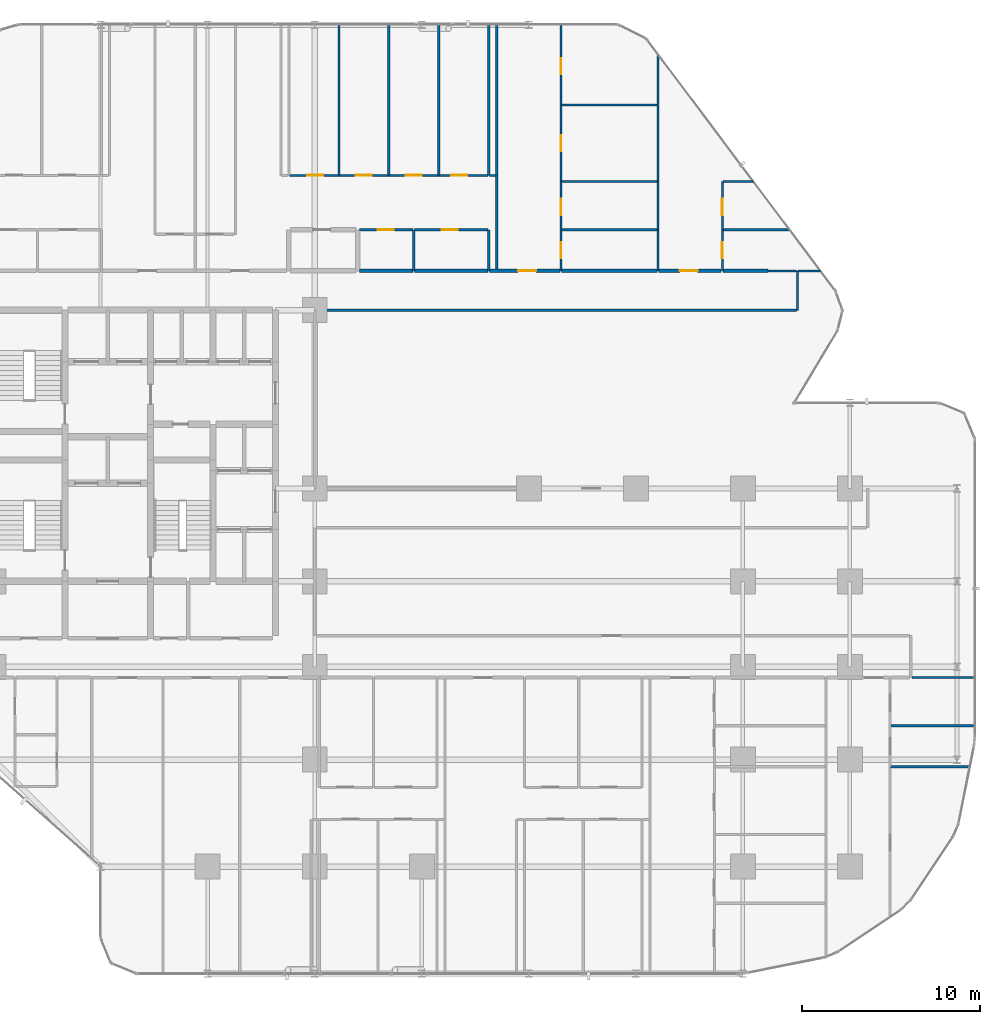
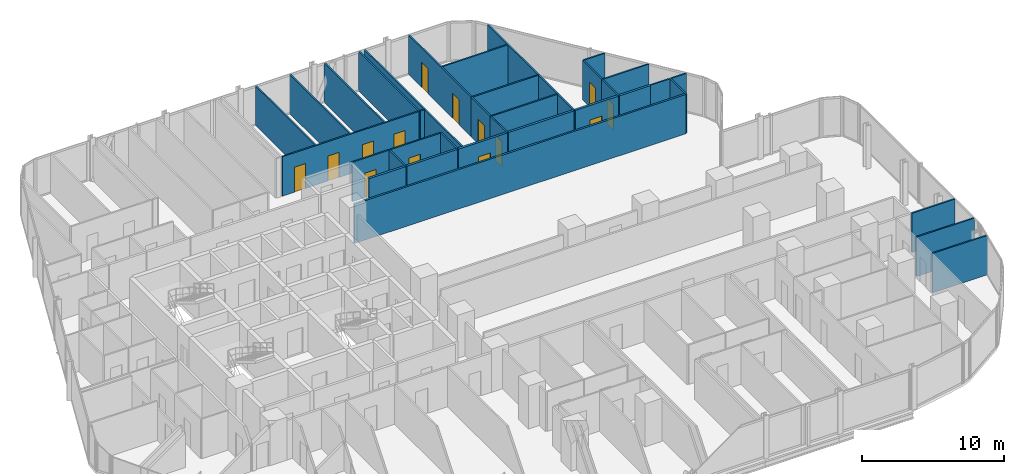
# One storey, part 31 of 34: 37 walls, 14 doors, 14 openings.
"""IFC4 building model written with IfcOpenShell, lengths in metres."""

from ifc_helpers import new_model, si_unit, direction, frame, frame_2d, origin, place, context, subcontext, project, spatial, rectangle, extrude, material, layer, layer_set, type_object, element, fill, save


model = new_model("IFC4")

# Units and contexts
model_context = context("Model", 3, precision=1e-05, world=origin(), true_north=direction((0.0, 1.0)))
body_context = subcontext(model_context, "Body", "Model", "MODEL_VIEW")
ifc_project = project(units=[si_unit("LENGTHUNIT", "METRE"), si_unit("AREAUNIT", "SQUARE_METRE"), si_unit("VOLUMEUNIT", "CUBIC_METRE"), si_unit("PLANEANGLEUNIT", "RADIAN"), si_unit("MASSUNIT", "GRAM", prefix="KILO")], contexts=[model_context])

# Site, building, storey
site_placement = place(None, origin())
site = spatial("IfcSite", under=ifc_project, at=site_placement, CompositionType="ELEMENT")
building_placement = place(site_placement, origin())
building = spatial("IfcBuilding", under=site, at=building_placement, Name="Keshet Zoharim Tower", CompositionType="ELEMENT")
storey_placement = place(building_placement, frame((0.0, 0.0, 46.199951171875)))
storey = spatial("IfcBuildingStorey", under=building, at=storey_placement, Name="L10", CompositionType="ELEMENT", Elevation=46.199951171875)

# Walls
ifc_material_1 = material(Name="Gypsum Plasterboard", Category="gypsum")
ifc_layer_1 = layer(ifc_material_1, 0.14990234375)
ifc_layer_set_1 = layer_set([ifc_layer_1], Name="Gypsum Plasterboard")
wall_type_1 = type_object("IfcWallType", Name="WL-CLIN-150", PredefinedType="STANDARD", material=ifc_layer_set_1)
wall_1_placement = place(storey_placement, frame((33.070068359375, 37.89990234375, 0.0), z_axis=(0.0, 0.0, 1.0), x_axis=(1.0, 0.0, 0.0)))
element("IfcWall", 1, at=wall_1_placement, inside=storey, type_object=wall_type_1, Name="L10 Interior Wall 193", PredefinedType="STANDARD", context=body_context, shape_type="SweptSolid", body=[
    extrude(rectangle(XDim=26.934814453125, YDim=0.14990234375, at=frame_2d((13.46728515625, 0.0))), origin(), (0.0, 0.0, 1.0), 3.385009765625),
])
ifc_layer_2 = layer(ifc_material_1, 0.179931640625)
ifc_layer_set_2 = layer_set([ifc_layer_2], Name="Gypsum Plasterboard")
wall_type_2 = type_object("IfcWallType", Name="WL-CORR-180", PredefinedType="STANDARD", material=ifc_layer_set_2)
wall_2_placement = place(storey_placement, frame((35.52197265625, 40.10009765625, 0.0), z_axis=(0.0, 0.0, 1.0), x_axis=(1.0, 0.0, 0.0)))
element("IfcWall", 2, at=wall_2_placement, inside=storey, type_object=wall_type_2, Name="L10 Interior Wall 200", PredefinedType="STANDARD", context=body_context, shape_type="SweptSolid", body=[
    extrude(rectangle(XDim=2.987060546875, YDim=0.179931640625, at=frame_2d((1.49365234375, 0.0))), origin(), (0.0, 0.0, 1.0), 3.385009765625),
])
wall_3_placement = place(storey_placement, frame((38.59912109375, 40.10009765625, 0.0), z_axis=(0.0, 0.0, 1.0), x_axis=(1.0, 0.0, 0.0)))
element("IfcWall", 3, at=wall_3_placement, inside=storey, type_object=wall_type_2, Name="L10 Interior Wall 201", PredefinedType="STANDARD", context=body_context, shape_type="SweptSolid", body=[
    extrude(rectangle(XDim=4.10595703125, YDim=0.179931640625, at=frame_2d((2.052978515625, 0.0))), origin(), (0.0, 0.0, 1.0), 3.385009765625),
])

# Wall, opening, door
wall_4_placement = place(storey_placement, frame((42.794921875, 40.10009765625, 0.0), z_axis=(0.0, 0.0, 1.0), x_axis=(1.0, 0.0, 0.0)))
wall_4 = element("IfcWall", 4, at=wall_4_placement, inside=storey, type_object=wall_type_2, Name="L10 Interior Wall 202", PredefinedType="STANDARD", context=body_context, shape_type="SweptSolid", body=[
    extrude(rectangle(XDim=3.9599609375, YDim=0.179931640625, at=frame_2d((1.97998046875, 0.0))), origin(), (0.0, 0.0, 1.0), 3.385009765625),
])
opening_1_placement = place(wall_4_placement, frame((1.60888671875, 0.0, 0.0)))
opening_1 = element("IfcOpeningElement", 5, at=opening_1_placement, cuts=wall_4, Name="Opening D-F310", PredefinedType="OPENING", context=body_context, shape_type="SweptSolid", body=[
    extrude(rectangle(XDim=1.0, YDim=2.14990234375, at=frame_2d((0.5, 1.074951171875))), frame((0.0, 0.10009765625, 0.0), z_axis=(0.0, -1.0, 0.0), x_axis=(1.0, 0.0, 0.0)), (0.0, 0.0, 1.0), 0.199951171875),
])
ifc_material_2 = material(Name="Hardwood Timber", Category="wood")
door_type_1 = type_object("IfcDoorType", Name="DR-FD30-100", OperationType="NOTDEFINED", PredefinedType="DOOR", material=ifc_material_2)
door_1_placement = place(opening_1_placement, origin())
door_1 = element("IfcDoor", 6, at=door_1_placement, inside=storey, type_object=door_type_1, Name="Apartment 1008 Entrance Door", OperationType="SINGLE_SWING_LEFT", OverallHeight=2.14990234375, OverallWidth=1.0, PredefinedType="DOOR", context=body_context, shape_type="SweptSolid", body=[
    extrude(rectangle(XDim=1.0, YDim=2.14990234375, at=frame_2d((0.5, 1.074951171875))), frame((0.0, 0.02490234375, 0.0), z_axis=(0.0, -1.0, 0.0), x_axis=(1.0, 0.0, 0.0)), (0.0, 0.0, 1.0), 0.050048828125),
])
fill(opening_1, door_1)

# Wall
wall_5_placement = place(storey_placement, frame((46.844970703125, 40.10009765625, 0.0), z_axis=(0.0, 0.0, 1.0), x_axis=(1.0, 0.0, 0.0)))
element("IfcWall", 7, at=wall_5_placement, inside=storey, type_object=wall_type_2, Name="L10 Interior Wall 203", PredefinedType="STANDARD", context=body_context, shape_type="SweptSolid", body=[
    extrude(rectangle(XDim=5.340087890625, YDim=0.179931640625, at=frame_2d((2.669921875, 0.0))), origin(), (0.0, 0.0, 1.0), 3.385009765625),
])

# Wall, opening, door
wall_6_placement = place(storey_placement, frame((52.27490234375, 40.10009765625, 0.0), z_axis=(0.0, 0.0, 1.0), x_axis=(1.0, 0.0, 0.0)))
wall_6 = element("IfcWall", 8, at=wall_6_placement, inside=storey, type_object=wall_type_2, Name="L10 Interior Wall 204", PredefinedType="STANDARD", context=body_context, shape_type="SweptSolid", body=[
    extrude(rectangle(XDim=3.510009765625, YDim=0.179931640625, at=frame_2d((1.7548828125, 0.0))), origin(), (0.0, 0.0, 1.0), 3.385009765625),
])
opening_2_placement = place(wall_6_placement, frame((1.18505859375, 0.0, 0.0)))
opening_2 = element("IfcOpeningElement", 9, at=opening_2_placement, cuts=wall_6, Name="Opening D-F310", PredefinedType="OPENING", context=body_context, shape_type="SweptSolid", body=[
    extrude(rectangle(XDim=1.0, YDim=2.14990234375, at=frame_2d((0.5, 1.074951171875))), frame((0.0, 0.10009765625, 0.0), z_axis=(0.0, -1.0, 0.0), x_axis=(1.0, 0.0, 0.0)), (0.0, 0.0, 1.0), 0.199951171875),
])
door_2_placement = place(opening_2_placement, origin())
door_2 = element("IfcDoor", 10, at=door_2_placement, inside=storey, type_object=door_type_1, Name="Apartment 1009 Entrance Door", OperationType="SINGLE_SWING_RIGHT", OverallHeight=2.14990234375, OverallWidth=1.0, PredefinedType="DOOR", context=body_context, shape_type="SweptSolid", body=[
    extrude(rectangle(XDim=1.0, YDim=2.14990234375, at=frame_2d((0.5, 1.074951171875))), frame((0.0, 0.02490234375, 0.0), z_axis=(0.0, -1.0, 0.0), x_axis=(1.0, 0.0, 0.0)), (0.0, 0.0, 1.0), 0.050048828125),
])
fill(opening_2, door_2)

# Walls
wall_7_placement = place(storey_placement, frame((55.875, 40.10009765625, 0.0), z_axis=(0.0, 0.0, 1.0), x_axis=(1.0, 0.0, 0.0)))
element("IfcWall", 11, at=wall_7_placement, inside=storey, type_object=wall_type_2, Name="L10 Interior Wall 205", PredefinedType="STANDARD", context=body_context, shape_type="SweptSolid", body=[
    extrude(rectangle(XDim=2.52490234375, YDim=0.179931640625, at=frame_2d((1.262451171875, 0.0))), origin(), (0.0, 0.0, 1.0), 3.385009765625),
])
ifc_layer_3 = layer(ifc_material_1, 0.1201171875)
ifc_layer_set_3 = layer_set([ifc_layer_3], Name="Gypsum Plasterboard")
wall_type_3 = type_object("IfcWallType", Name="WL-PART-120", PredefinedType="PARTITIONING", material=ifc_layer_set_3)
for number, where, z_axis, x_axis, name in (
    (12, (34.35009765625, 45.449951171875, 0.0), (0.0, 0.0, 1.0), (0.0, 1.0, 0.0), "L10 Interior Wall 077"),
    (13, (37.14990234375, 45.449951171875, 0.0), (0.0, 0.0, 1.0), (0.0, 1.0, 0.0), "L10 Interior Wall 081"),
    (14, (39.949951171875, 45.449951171875, 0.0), (0.0, 0.0, 1.0), (0.0, 1.0, 0.0), "L10 Interior Wall 085"),
):
    element("IfcWall", number, at=place(storey_placement, frame(where, z_axis=z_axis, x_axis=x_axis)), inside=storey, type_object=wall_type_3, Name=name, PredefinedType="PARTITIONING", context=body_context, shape_type="SweptSolid", body=[
        extrude(rectangle(XDim=8.43994140625, YDim=0.1201171875, at=frame_2d((4.219970703125, 0.0))), origin(), (0.0, 0.0, 1.0), 3.385009765625),
    ])
wall_8_placement = place(storey_placement, frame((42.75, 40.10009765625, 0.0), z_axis=(0.0, 0.0, 1.0), x_axis=(0.0, 1.0, 0.0)))
element("IfcWall", 15, at=wall_8_placement, inside=storey, type_object=wall_type_3, Name="L10 Interior Wall 087", PredefinedType="PARTITIONING", context=body_context, shape_type="SweptSolid", body=[
    extrude(rectangle(XDim=2.2998046875, YDim=0.1201171875, at=frame_2d((1.14990234375, 0.0))), origin(), (0.0, 0.0, 1.0), 3.385009765625),
])
wall_9_placement = place(storey_placement, frame((42.75, 45.449951171875, 0.0), z_axis=(0.0, 0.0, 1.0), x_axis=(0.0, 1.0, 0.0)))
element("IfcWall", 16, at=wall_9_placement, inside=storey, type_object=wall_type_3, Name="L10 Interior Wall 088", PredefinedType="PARTITIONING", context=body_context, shape_type="SweptSolid", body=[
    extrude(rectangle(XDim=8.43994140625, YDim=0.1201171875, at=frame_2d((4.219970703125, 0.0))), origin(), (0.0, 0.0, 1.0), 3.385009765625),
])
wall_10_placement = place(storey_placement, frame((43.199951171875, 40.10009765625, 0.0), z_axis=(0.0, 0.0, 1.0), x_axis=(0.0, 1.0, 0.0)))
element("IfcWall", 17, at=wall_10_placement, inside=storey, type_object=wall_type_3, Name="L10 Interior Wall 089", PredefinedType="PARTITIONING", context=body_context, shape_type="SweptSolid", body=[
    extrude(rectangle(XDim=13.789794921875, YDim=0.1201171875, at=frame_2d((6.89501953125, 0.0))), origin(), (0.0, 0.0, 1.0), 3.385009765625),
])

# Wall, opening, door
wall_11_placement = place(storey_placement, frame((46.800048828125, 40.10009765625, 0.0), z_axis=(0.0, 0.0, 1.0), x_axis=(0.0, 1.0, 0.0)))
wall_11 = element("IfcWall", 18, at=wall_11_placement, inside=storey, type_object=wall_type_3, Name="L10 Interior Wall 093", PredefinedType="PARTITIONING", context=body_context, shape_type="SweptSolid", body=[
    extrude(rectangle(XDim=2.2998046875, YDim=0.1201171875, at=frame_2d((1.14990234375, 0.0))), origin(), (0.0, 0.0, 1.0), 3.385009765625),
])
opening_3_placement = place(wall_11_placement, frame((0.699951171875, 0.0, 0.0)))
opening_3 = element("IfcOpeningElement", 19, at=opening_3_placement, cuts=wall_11, Name="Opening D-IN90", PredefinedType="OPENING", context=body_context, shape_type="SweptSolid", body=[
    extrude(rectangle(XDim=0.89990234375, YDim=2.14990234375, at=frame_2d((0.449951171875, 1.074951171875))), frame((0.0, 0.070068359375, 0.0), z_axis=(0.0, -1.0, 0.0), x_axis=(1.0, 0.0, 0.0)), (0.0, 0.0, 1.0), 0.14013671875),
])
door_type_2 = type_object("IfcDoorType", Name="DR-INT-090", OperationType="NOTDEFINED", PredefinedType="DOOR", material=ifc_material_2)
door_3_placement = place(opening_3_placement, origin())
door_3 = element("IfcDoor", 20, at=door_3_placement, inside=storey, type_object=door_type_2, Name="Apartment 1008 Kitchen Door", OperationType="SINGLE_SWING_RIGHT", OverallHeight=2.14990234375, OverallWidth=0.89990234375, PredefinedType="DOOR", context=body_context, shape_type="SweptSolid", body=[
    extrude(rectangle(XDim=0.89990234375, YDim=2.14990234375, at=frame_2d((0.449951171875, 1.074951171875))), frame((0.0, 0.02490234375, 0.0), z_axis=(0.0, -1.0, 0.0), x_axis=(1.0, 0.0, 0.0)), (0.0, 0.0, 1.0), 0.050048828125),
])
fill(opening_3, door_3)

# Wall, openings, doors
wall_12_placement = place(storey_placement, frame((46.800048828125, 45.10009765625, 0.0), z_axis=(0.0, 0.0, 1.0), x_axis=(0.0, 1.0, 0.0)))
wall_12 = element("IfcWall", 21, at=wall_12_placement, inside=storey, type_object=wall_type_3, Name="L10 Interior Wall 095", PredefinedType="PARTITIONING", context=body_context, shape_type="SweptSolid", body=[
    extrude(rectangle(XDim=8.789794921875, YDim=0.1201171875, at=frame_2d((4.39501953125, 0.0))), origin(), (0.0, 0.0, 1.0), 3.385009765625),
])
opening_4_placement = place(wall_12_placement, frame((1.7119140625, 0.0, 0.0)))
opening_4 = element("IfcOpeningElement", 22, at=opening_4_placement, cuts=wall_12, Name="Opening D-IN90", PredefinedType="OPENING", context=body_context, shape_type="SweptSolid", body=[
    extrude(rectangle(XDim=0.89990234375, YDim=2.14990234375, at=frame_2d((0.449951171875, 1.074951171875))), frame((0.0, 0.070068359375, 0.0), z_axis=(0.0, -1.0, 0.0), x_axis=(1.0, 0.0, 0.0)), (0.0, 0.0, 1.0), 0.14013671875),
])
opening_5_placement = place(wall_12_placement, frame((6.030029296875, 0.0, 0.0)))
opening_5 = element("IfcOpeningElement", 23, at=opening_5_placement, cuts=wall_12, Name="Opening D-IN90", PredefinedType="OPENING", context=body_context, shape_type="SweptSolid", body=[
    extrude(rectangle(XDim=0.89990234375, YDim=2.14990234375, at=frame_2d((0.449951171875, 1.074951171875))), frame((0.0, 0.070068359375, 0.0), z_axis=(0.0, -1.0, 0.0), x_axis=(1.0, 0.0, 0.0)), (0.0, 0.0, 1.0), 0.14013671875),
])
door_4_placement = place(opening_4_placement, origin())
door_4 = element("IfcDoor", 24, at=door_4_placement, inside=storey, type_object=door_type_2, Name="Apartment 1008 Bedroom 1 Door", OperationType="SINGLE_SWING_RIGHT", OverallHeight=2.14990234375, OverallWidth=0.89990234375, PredefinedType="DOOR", context=body_context, shape_type="SweptSolid", body=[
    extrude(rectangle(XDim=0.89990234375, YDim=2.14990234375, at=frame_2d((0.449951171875, 1.074951171875))), frame((0.0, 0.02490234375, 0.0), z_axis=(0.0, -1.0, 0.0), x_axis=(1.0, 0.0, 0.0)), (0.0, 0.0, 1.0), 0.050048828125),
])
fill(opening_4, door_4)
door_5_placement = place(opening_5_placement, origin())
door_5 = element("IfcDoor", 25, at=door_5_placement, inside=storey, type_object=door_type_2, Name="Apartment 1008 Bedroom 2 Door", OperationType="SINGLE_SWING_LEFT", OverallHeight=2.14990234375, OverallWidth=0.89990234375, PredefinedType="DOOR", context=body_context, shape_type="SweptSolid", body=[
    extrude(rectangle(XDim=0.89990234375, YDim=2.14990234375, at=frame_2d((0.449951171875, 1.074951171875))), frame((0.0, 0.02490234375, 0.0), z_axis=(0.0, -1.0, 0.0), x_axis=(1.0, 0.0, 0.0)), (0.0, 0.0, 1.0), 0.050048828125),
])
fill(opening_5, door_5)

# Walls
wall_13_placement = place(storey_placement, frame((52.25, 40.10009765625, 0.0), z_axis=(0.0, 0.0, 1.0), x_axis=(0.0, 1.0, 0.0)))
element("IfcWall", 26, at=wall_13_placement, inside=storey, type_object=wall_type_3, Name="L10 Interior Wall 101", PredefinedType="PARTITIONING", context=body_context, shape_type="SweptSolid", body=[
    extrude(rectangle(XDim=2.2998046875, YDim=0.1201171875, at=frame_2d((1.14990234375, 0.0))), origin(), (0.0, 0.0, 1.0), 3.385009765625),
])
wall_14_placement = place(storey_placement, frame((52.25, 45.10009765625, 0.0), z_axis=(0.0, 0.0, 1.0), x_axis=(0.0, 1.0, 0.0)))
element("IfcWall", 27, at=wall_14_placement, inside=storey, type_object=wall_type_3, Name="L10 Interior Wall 103", PredefinedType="PARTITIONING", context=body_context, shape_type="SweptSolid", body=[
    extrude(rectangle(XDim=7.122802734375, YDim=0.1201171875, at=frame_2d((3.5615234375, 0.0))), origin(), (0.0, 0.0, 1.0), 3.385009765625),
])

# Wall, opening, door
wall_15_placement = place(storey_placement, frame((55.85009765625, 40.10009765625, 0.0), z_axis=(0.0, 0.0, 1.0), x_axis=(0.0, 1.0, 0.0)))
wall_15 = element("IfcWall", 28, at=wall_15_placement, inside=storey, type_object=wall_type_3, Name="L10 Interior Wall 107", PredefinedType="PARTITIONING", context=body_context, shape_type="SweptSolid", body=[
    extrude(rectangle(XDim=2.2998046875, YDim=0.1201171875, at=frame_2d((1.14990234375, 0.0))), origin(), (0.0, 0.0, 1.0), 3.385009765625),
])
opening_6_placement = place(wall_15_placement, frame((0.699951171875, 0.0, 0.0)))
opening_6 = element("IfcOpeningElement", 29, at=opening_6_placement, cuts=wall_15, Name="Opening D-IN90", PredefinedType="OPENING", context=body_context, shape_type="SweptSolid", body=[
    extrude(rectangle(XDim=0.89990234375, YDim=2.14990234375, at=frame_2d((0.449951171875, 1.074951171875))), frame((0.0, 0.070068359375, 0.0), z_axis=(0.0, -1.0, 0.0), x_axis=(1.0, 0.0, 0.0)), (0.0, 0.0, 1.0), 0.14013671875),
])
door_6_placement = place(opening_6_placement, origin())
door_6 = element("IfcDoor", 30, at=door_6_placement, inside=storey, type_object=door_type_2, Name="Apartment 1009 Kitchen Door", OperationType="SINGLE_SWING_LEFT", OverallHeight=2.14990234375, OverallWidth=0.89990234375, PredefinedType="DOOR", context=body_context, shape_type="SweptSolid", body=[
    extrude(rectangle(XDim=0.89990234375, YDim=2.14990234375, at=frame_2d((0.449951171875, 1.074951171875))), frame((0.0, 0.02490234375, 0.0), z_axis=(0.0, -1.0, 0.0), x_axis=(1.0, 0.0, 0.0)), (0.0, 0.0, 1.0), 0.050048828125),
])
fill(opening_6, door_6)

# Walls
wall_16_placement = place(storey_placement, frame((60.050048828125, 37.889892578125, 0.0), z_axis=(0.0, 0.0, 1.0), x_axis=(0.0, 1.0, 0.0)))
element("IfcWall", 31, at=wall_16_placement, inside=storey, type_object=wall_type_3, Name="L10 Interior Wall 109", PredefinedType="PARTITIONING", context=body_context, shape_type="SweptSolid", body=[
    extrude(rectangle(XDim=2.2001953125, YDim=0.1201171875, at=frame_2d((1.10009765625, 0.0))), origin(), (0.0, 0.0, 1.0), 3.385009765625),
])
wall_17_placement = place(storey_placement, frame((65.27490234375, 12.300048828125, 0.0), z_axis=(0.0, 0.0, 1.0), x_axis=(1.0, 0.0, 0.0)))
element("IfcWall", 32, at=wall_17_placement, inside=storey, type_object=wall_type_3, Name="L10 Interior Wall 132", PredefinedType="PARTITIONING", context=body_context, shape_type="SweptSolid", body=[
    extrude(rectangle(XDim=4.43701171875, YDim=0.1201171875, at=frame_2d((2.218505859375, 0.0))), origin(), (0.0, 0.0, 1.0), 3.385009765625),
])
wall_18_placement = place(storey_placement, frame((58.39990234375, 40.10009765625, 0.0), z_axis=(0.0, 0.0, 1.0), x_axis=(1.0, 0.0, 0.0)))
element("IfcWall", 33, at=wall_18_placement, inside=storey, type_object=wall_type_3, Name="L10 Interior Wall 206", PredefinedType="PARTITIONING", context=body_context, shape_type="SweptSolid", body=[
    extrude(rectangle(XDim=1.60498046875, YDim=0.1201171875, at=frame_2d((0.802490234375, 0.0))), origin(), (0.0, 0.0, 1.0), 3.385009765625),
])
wall_19_placement = place(storey_placement, frame((60.094970703125, 40.10009765625, 0.0), z_axis=(0.0, 0.0, 1.0), x_axis=(1.0, 0.0, 0.0)))
element("IfcWall", 34, at=wall_19_placement, inside=storey, type_object=wall_type_3, Name="L10 Interior Wall 207", PredefinedType="PARTITIONING", context=body_context, shape_type="SweptSolid", body=[
    extrude(rectangle(XDim=1.2451171875, YDim=0.1201171875, at=frame_2d((0.62255859375, 0.0))), origin(), (0.0, 0.0, 1.0), 3.385009765625),
])

# Wall, opening, door
wall_20_placement = place(storey_placement, frame((38.59912109375, 42.39990234375, 0.0), z_axis=(0.0, 0.0, 1.0), x_axis=(1.0, 0.0, 0.0)))
wall_20 = element("IfcWall", 35, at=wall_20_placement, inside=storey, type_object=wall_type_3, Name="L10 Interior Wall 214", PredefinedType="PARTITIONING", context=body_context, shape_type="SweptSolid", body=[
    extrude(rectangle(XDim=4.10595703125, YDim=0.1201171875, at=frame_2d((2.052978515625, 0.0))), origin(), (0.0, 0.0, 1.0), 3.385009765625),
])
opening_7_placement = place(wall_20_placement, frame((1.530029296875, 0.0, 0.0)))
opening_7 = element("IfcOpeningElement", 36, at=opening_7_placement, cuts=wall_20, Name="Opening D-IN90", PredefinedType="OPENING", context=body_context, shape_type="SweptSolid", body=[
    extrude(rectangle(XDim=0.89990234375, YDim=2.14990234375, at=frame_2d((0.449951171875, 1.074951171875))), frame((0.0, 0.070068359375, 0.0), z_axis=(0.0, -1.0, 0.0), x_axis=(1.0, 0.0, 0.0)), (0.0, 0.0, 1.0), 0.14013671875),
])
door_7_placement = place(opening_7_placement, origin())
door_7 = element("IfcDoor", 37, at=door_7_placement, inside=storey, type_object=door_type_2, Name="Apartment 1007 Kitchen Door", OperationType="SINGLE_SWING_RIGHT", OverallHeight=2.14990234375, OverallWidth=0.89990234375, PredefinedType="DOOR", context=body_context, shape_type="SweptSolid", body=[
    extrude(rectangle(XDim=0.89990234375, YDim=2.14990234375, at=frame_2d((0.449951171875, 1.074951171875))), frame((0.0, 0.02490234375, 0.0), z_axis=(0.0, -1.0, 0.0), x_axis=(1.0, 0.0, 0.0)), (0.0, 0.0, 1.0), 0.050048828125),
])
fill(opening_7, door_7)

# Wall, openings, doors
wall_21_placement = place(storey_placement, frame((31.574951171875, 45.449951171875, 0.0), z_axis=(0.0, 0.0, 1.0), x_axis=(1.0, 0.0, 0.0)))
wall_21 = element("IfcWall", 38, at=wall_21_placement, inside=storey, type_object=wall_type_3, Name="L10 Interior Wall 222", PredefinedType="PARTITIONING", context=body_context, shape_type="SweptSolid", body=[
    extrude(rectangle(XDim=11.130126953125, YDim=0.1201171875, at=frame_2d((5.56494140625, 0.0))), origin(), (0.0, 0.0, 1.0), 3.385009765625),
])
opening_8_placement = place(wall_21_placement, frame((1.008056640625, 0.0, 0.0)))
opening_8 = element("IfcOpeningElement", 39, at=opening_8_placement, cuts=wall_21, Name="Opening D-IN90", PredefinedType="OPENING", context=body_context, shape_type="SweptSolid", body=[
    extrude(rectangle(XDim=0.89990234375, YDim=2.14990234375, at=frame_2d((0.449951171875, 1.074951171875))), frame((0.0, 0.070068359375, 0.0), z_axis=(0.0, -1.0, 0.0), x_axis=(1.0, 0.0, 0.0)), (0.0, 0.0, 1.0), 0.14013671875),
])
opening_9_placement = place(wall_21_placement, frame((3.712890625, 0.0, 0.0)))
opening_9 = element("IfcOpeningElement", 40, at=opening_9_placement, cuts=wall_21, Name="Opening D-IN90", PredefinedType="OPENING", context=body_context, shape_type="SweptSolid", body=[
    extrude(rectangle(XDim=0.89990234375, YDim=2.14990234375, at=frame_2d((0.449951171875, 1.074951171875))), frame((0.0, 0.070068359375, 0.0), z_axis=(0.0, -1.0, 0.0), x_axis=(1.0, 0.0, 0.0)), (0.0, 0.0, 1.0), 0.14013671875),
])
opening_10_placement = place(wall_21_placement, frame((6.51806640625, 0.0, 0.0)))
opening_10 = element("IfcOpeningElement", 41, at=opening_10_placement, cuts=wall_21, Name="Opening D-IN90", PredefinedType="OPENING", context=body_context, shape_type="SweptSolid", body=[
    extrude(rectangle(XDim=0.89990234375, YDim=2.14990234375, at=frame_2d((0.449951171875, 1.074951171875))), frame((0.0, 0.070068359375, 0.0), z_axis=(0.0, -1.0, 0.0), x_axis=(1.0, 0.0, 0.0)), (0.0, 0.0, 1.0), 0.14013671875),
])
opening_11_placement = place(wall_21_placement, frame((9.072998046875, 0.0, 0.0)))
opening_11 = element("IfcOpeningElement", 42, at=opening_11_placement, cuts=wall_21, Name="Opening D-IN90", PredefinedType="OPENING", context=body_context, shape_type="SweptSolid", body=[
    extrude(rectangle(XDim=0.89990234375, YDim=2.14990234375, at=frame_2d((0.449951171875, 1.074951171875))), frame((0.0, 0.070068359375, 0.0), z_axis=(0.0, -1.0, 0.0), x_axis=(1.0, 0.0, 0.0)), (0.0, 0.0, 1.0), 0.14013671875),
])
door_8_placement = place(opening_8_placement, origin())
door_8 = element("IfcDoor", 43, at=door_8_placement, inside=storey, type_object=door_type_2, Name="Apartment 1007 Bedroom 1 Door", OperationType="SINGLE_SWING_LEFT", OverallHeight=2.14990234375, OverallWidth=0.89990234375, PredefinedType="DOOR", context=body_context, shape_type="SweptSolid", body=[
    extrude(rectangle(XDim=0.89990234375, YDim=2.14990234375, at=frame_2d((0.449951171875, 1.074951171875))), frame((0.0, 0.02490234375, 0.0), z_axis=(0.0, -1.0, 0.0), x_axis=(1.0, 0.0, 0.0)), (0.0, 0.0, 1.0), 0.050048828125),
])
fill(opening_8, door_8)
door_9_placement = place(opening_9_placement, origin())
door_9 = element("IfcDoor", 44, at=door_9_placement, inside=storey, type_object=door_type_2, Name="Apartment 1007 Bedroom 2 Door", OperationType="SINGLE_SWING_RIGHT", OverallHeight=2.14990234375, OverallWidth=0.89990234375, PredefinedType="DOOR", context=body_context, shape_type="SweptSolid", body=[
    extrude(rectangle(XDim=0.89990234375, YDim=2.14990234375, at=frame_2d((0.449951171875, 1.074951171875))), frame((0.0, 0.02490234375, 0.0), z_axis=(0.0, -1.0, 0.0), x_axis=(1.0, 0.0, 0.0)), (0.0, 0.0, 1.0), 0.050048828125),
])
fill(opening_9, door_9)
door_10_placement = place(opening_10_placement, origin())
door_10 = element("IfcDoor", 45, at=door_10_placement, inside=storey, type_object=door_type_2, Name="Apartment 1007 Bedroom 3 Door", OperationType="SINGLE_SWING_LEFT", OverallHeight=2.14990234375, OverallWidth=0.89990234375, PredefinedType="DOOR", context=body_context, shape_type="SweptSolid", body=[
    extrude(rectangle(XDim=0.89990234375, YDim=2.14990234375, at=frame_2d((0.449951171875, 1.074951171875))), frame((0.0, 0.02490234375, 0.0), z_axis=(0.0, -1.0, 0.0), x_axis=(1.0, 0.0, 0.0)), (0.0, 0.0, 1.0), 0.050048828125),
])
fill(opening_10, door_10)
door_11_placement = place(opening_11_placement, origin())
door_11 = element("IfcDoor", 46, at=door_11_placement, inside=storey, type_object=door_type_2, Name="Apartment 1007 Bedroom 4 Door", OperationType="SINGLE_SWING_RIGHT", OverallHeight=2.14990234375, OverallWidth=0.89990234375, PredefinedType="DOOR", context=body_context, shape_type="SweptSolid", body=[
    extrude(rectangle(XDim=0.89990234375, YDim=2.14990234375, at=frame_2d((0.449951171875, 1.074951171875))), frame((0.0, 0.02490234375, 0.0), z_axis=(0.0, -1.0, 0.0), x_axis=(1.0, 0.0, 0.0)), (0.0, 0.0, 1.0), 0.050048828125),
])
fill(opening_11, door_11)

# Walls
wall_22_placement = place(storey_placement, frame((42.794921875, 45.449951171875, 0.0), z_axis=(0.0, 0.0, 1.0), x_axis=(1.0, 0.0, 0.0)))
element("IfcWall", 47, at=wall_22_placement, inside=storey, type_object=wall_type_3, Name="L10 Interior Wall 223", PredefinedType="PARTITIONING", context=body_context, shape_type="SweptSolid", body=[
    extrude(rectangle(XDim=0.360107421875, YDim=0.1201171875, at=frame_2d((0.18017578125, 0.0))), origin(), (0.0, 0.0, 1.0), 3.385009765625),
])
wall_23_placement = place(storey_placement, frame((46.844970703125, 49.39990234375, 0.0), z_axis=(0.0, 0.0, 1.0), x_axis=(1.0, 0.0, 0.0)))
element("IfcWall", 48, at=wall_23_placement, inside=storey, type_object=wall_type_3, Name="L10 Interior Wall 224", PredefinedType="PARTITIONING", context=body_context, shape_type="SweptSolid", body=[
    extrude(rectangle(XDim=5.340087890625, YDim=0.1201171875, at=frame_2d((2.669921875, 0.0))), origin(), (0.0, 0.0, 1.0), 3.385009765625),
])
ifc_layer_4 = layer(ifc_material_1, 0.1201171875)
ifc_layer_set_4 = layer_set([ifc_layer_4], Name="Gypsum Plasterboard")
wall_type_4 = type_object("IfcWallType", Name="WL-WET-120", PredefinedType="PARTITIONING", material=ifc_layer_set_4)
wall_24_placement = place(storey_placement, frame((38.550048828125, 40.10009765625, 0.0), z_axis=(0.0, 0.0, 1.0), x_axis=(0.0, 1.0, 0.0)))
element("IfcWall", 49, at=wall_24_placement, inside=storey, type_object=wall_type_4, Name="L10 Interior Wall 082", PredefinedType="PARTITIONING", context=body_context, shape_type="SweptSolid", body=[
    extrude(rectangle(XDim=2.2998046875, YDim=0.1201171875, at=frame_2d((1.14990234375, 0.0))), origin(), (0.0, 0.0, 1.0), 3.385009765625),
])

# Wall, opening, door
wall_25_placement = place(storey_placement, frame((46.800048828125, 42.39990234375, 0.0), z_axis=(0.0, 0.0, 1.0), x_axis=(0.0, 1.0, 0.0)))
wall_25 = element("IfcWall", 50, at=wall_25_placement, inside=storey, type_object=wall_type_4, Name="L10 Interior Wall 094", PredefinedType="PARTITIONING", context=body_context, shape_type="SweptSolid", body=[
    extrude(rectangle(XDim=2.7001953125, YDim=0.1201171875, at=frame_2d((1.35009765625, 0.0))), origin(), (0.0, 0.0, 1.0), 3.385009765625),
])
opening_12_placement = place(wall_25_placement, frame((0.827880859375, 0.0, 0.0)))
opening_12 = element("IfcOpeningElement", 51, at=opening_12_placement, cuts=wall_25, Name="Opening D-WT90", PredefinedType="OPENING", context=body_context, shape_type="SweptSolid", body=[
    extrude(rectangle(XDim=0.89990234375, YDim=2.10009765625, at=frame_2d((0.449951171875, 1.050048828125))), frame((0.0, 0.070068359375, 0.0), z_axis=(0.0, -1.0, 0.0), x_axis=(1.0, 0.0, 0.0)), (0.0, 0.0, 1.0), 0.14013671875),
])
door_type_3 = type_object("IfcDoorType", Name="DR-WET-090", OperationType="NOTDEFINED", PredefinedType="DOOR", material=ifc_material_2)
door_12_placement = place(opening_12_placement, origin())
door_12 = element("IfcDoor", 52, at=door_12_placement, inside=storey, type_object=door_type_3, Name="Apartment 1008 Bathroom Door", OperationType="SINGLE_SWING_LEFT", OverallHeight=2.10009765625, OverallWidth=0.89990234375, PredefinedType="DOOR", context=body_context, shape_type="SweptSolid", body=[
    extrude(rectangle(XDim=0.89990234375, YDim=2.10009765625, at=frame_2d((0.449951171875, 1.050048828125))), frame((0.0, 0.02490234375, 0.0), z_axis=(0.0, -1.0, 0.0), x_axis=(1.0, 0.0, 0.0)), (0.0, 0.0, 1.0), 0.050048828125),
])
fill(opening_12, door_12)

# Wall
wall_26_placement = place(storey_placement, frame((52.25, 42.39990234375, 0.0), z_axis=(0.0, 0.0, 1.0), x_axis=(0.0, 1.0, 0.0)))
element("IfcWall", 53, at=wall_26_placement, inside=storey, type_object=wall_type_4, Name="L10 Interior Wall 102", PredefinedType="PARTITIONING", context=body_context, shape_type="SweptSolid", body=[
    extrude(rectangle(XDim=2.7001953125, YDim=0.1201171875, at=frame_2d((1.35009765625, 0.0))), origin(), (0.0, 0.0, 1.0), 3.385009765625),
])

# Wall, opening, door
wall_27_placement = place(storey_placement, frame((55.85009765625, 42.39990234375, 0.0), z_axis=(0.0, 0.0, 1.0), x_axis=(0.0, 1.0, 0.0)))
wall_27 = element("IfcWall", 54, at=wall_27_placement, inside=storey, type_object=wall_type_4, Name="L10 Interior Wall 108", PredefinedType="PARTITIONING", context=body_context, shape_type="SweptSolid", body=[
    extrude(rectangle(XDim=2.7001953125, YDim=0.1201171875, at=frame_2d((1.35009765625, 0.0))), origin(), (0.0, 0.0, 1.0), 3.385009765625),
])
opening_13_placement = place(wall_27_placement, frame((0.827880859375, 0.0, 0.0)))
opening_13 = element("IfcOpeningElement", 55, at=opening_13_placement, cuts=wall_27, Name="Opening D-WT90", PredefinedType="OPENING", context=body_context, shape_type="SweptSolid", body=[
    extrude(rectangle(XDim=0.89990234375, YDim=2.10009765625, at=frame_2d((0.449951171875, 1.050048828125))), frame((0.0, 0.070068359375, 0.0), z_axis=(0.0, -1.0, 0.0), x_axis=(1.0, 0.0, 0.0)), (0.0, 0.0, 1.0), 0.14013671875),
])
door_13_placement = place(opening_13_placement, origin())
door_13 = element("IfcDoor", 56, at=door_13_placement, inside=storey, type_object=door_type_3, Name="Apartment 1009 Bathroom Door", OperationType="SINGLE_SWING_RIGHT", OverallHeight=2.10009765625, OverallWidth=0.89990234375, PredefinedType="DOOR", context=body_context, shape_type="SweptSolid", body=[
    extrude(rectangle(XDim=0.89990234375, YDim=2.10009765625, at=frame_2d((0.449951171875, 1.050048828125))), frame((0.0, 0.02490234375, 0.0), z_axis=(0.0, -1.0, 0.0), x_axis=(1.0, 0.0, 0.0)), (0.0, 0.0, 1.0), 0.050048828125),
])
fill(opening_13, door_13)

# Walls
wall_28_placement = place(storey_placement, frame((65.27490234375, 14.60009765625, 0.0), z_axis=(0.0, 0.0, 1.0), x_axis=(1.0, 0.0, 0.0)))
element("IfcWall", 57, at=wall_28_placement, inside=storey, type_object=wall_type_4, Name="L10 Interior Wall 135", PredefinedType="PARTITIONING", context=body_context, shape_type="SweptSolid", body=[
    extrude(rectangle(XDim=4.715087890625, YDim=0.1201171875, at=frame_2d((2.357421875, 0.0))), origin(), (0.0, 0.0, 1.0), 3.385009765625),
])
wall_29_placement = place(storey_placement, frame((66.469970703125, 17.300048828125, 0.0), z_axis=(0.0, 0.0, 1.0), x_axis=(1.0, 0.0, 0.0)))
element("IfcWall", 58, at=wall_29_placement, inside=storey, type_object=wall_type_4, Name="L10 Interior Wall 152", PredefinedType="PARTITIONING", context=body_context, shape_type="SweptSolid", body=[
    extrude(rectangle(XDim=3.52001953125, YDim=0.1201171875, at=frame_2d((1.760009765625, 0.0))), origin(), (0.0, 0.0, 1.0), 3.385009765625),
])

# Wall, opening, door
wall_30_placement = place(storey_placement, frame((35.52197265625, 42.39990234375, 0.0), z_axis=(0.0, 0.0, 1.0), x_axis=(1.0, 0.0, 0.0)))
wall_30 = element("IfcWall", 59, at=wall_30_placement, inside=storey, type_object=wall_type_4, Name="L10 Interior Wall 213", PredefinedType="PARTITIONING", context=body_context, shape_type="SweptSolid", body=[
    extrude(rectangle(XDim=2.987060546875, YDim=0.1201171875, at=frame_2d((1.49365234375, 0.0))), origin(), (0.0, 0.0, 1.0), 3.385009765625),
])
opening_14_placement = place(wall_30_placement, frame((1.010986328125, 0.0, 0.0)))
opening_14 = element("IfcOpeningElement", 60, at=opening_14_placement, cuts=wall_30, Name="Opening D-WT90", PredefinedType="OPENING", context=body_context, shape_type="SweptSolid", body=[
    extrude(rectangle(XDim=0.89990234375, YDim=2.10009765625, at=frame_2d((0.449951171875, 1.050048828125))), frame((0.0, 0.070068359375, 0.0), z_axis=(0.0, -1.0, 0.0), x_axis=(1.0, 0.0, 0.0)), (0.0, 0.0, 1.0), 0.14013671875),
])
door_14_placement = place(opening_14_placement, origin())
door_14 = element("IfcDoor", 61, at=door_14_placement, inside=storey, type_object=door_type_3, Name="Apartment 1007 Bathroom Door", OperationType="SINGLE_SWING_LEFT", OverallHeight=2.10009765625, OverallWidth=0.89990234375, PredefinedType="DOOR", context=body_context, shape_type="SweptSolid", body=[
    extrude(rectangle(XDim=0.89990234375, YDim=2.10009765625, at=frame_2d((0.449951171875, 1.050048828125))), frame((0.0, 0.02490234375, 0.0), z_axis=(0.0, -1.0, 0.0), x_axis=(1.0, 0.0, 0.0)), (0.0, 0.0, 1.0), 0.050048828125),
])
fill(opening_14, door_14)

# Walls
wall_31_placement = place(storey_placement, frame((46.844970703125, 42.39990234375, 0.0), z_axis=(0.0, 0.0, 1.0), x_axis=(1.0, 0.0, 0.0)))
element("IfcWall", 62, at=wall_31_placement, inside=storey, type_object=wall_type_4, Name="L10 Interior Wall 215", PredefinedType="PARTITIONING", context=body_context, shape_type="SweptSolid", body=[
    extrude(rectangle(XDim=5.340087890625, YDim=0.1201171875, at=frame_2d((2.669921875, 0.0))), origin(), (0.0, 0.0, 1.0), 3.385009765625),
])
wall_32_placement = place(storey_placement, frame((55.875, 42.39990234375, 0.0), z_axis=(0.0, 0.0, 1.0), x_axis=(1.0, 0.0, 0.0)))
element("IfcWall", 63, at=wall_32_placement, inside=storey, type_object=wall_type_4, Name="L10 Interior Wall 216", PredefinedType="PARTITIONING", context=body_context, shape_type="SweptSolid", body=[
    extrude(rectangle(XDim=3.739990234375, YDim=0.1201171875, at=frame_2d((1.8701171875, 0.0))), origin(), (0.0, 0.0, 1.0), 3.385009765625),
])
wall_33_placement = place(storey_placement, frame((46.844970703125, 45.10009765625, 0.0), z_axis=(0.0, 0.0, 1.0), x_axis=(1.0, 0.0, 0.0)))
element("IfcWall", 64, at=wall_33_placement, inside=storey, type_object=wall_type_4, Name="L10 Interior Wall 217", PredefinedType="PARTITIONING", context=body_context, shape_type="SweptSolid", body=[
    extrude(rectangle(XDim=5.340087890625, YDim=0.1201171875, at=frame_2d((2.669921875, 0.0))), origin(), (0.0, 0.0, 1.0), 3.385009765625),
])
wall_34_placement = place(storey_placement, frame((55.875, 45.10009765625, 0.0), z_axis=(0.0, 0.0, 1.0), x_axis=(1.0, 0.0, 0.0)))
element("IfcWall", 65, at=wall_34_placement, inside=storey, type_object=wall_type_4, Name="L10 Interior Wall 218", PredefinedType="PARTITIONING", context=body_context, shape_type="SweptSolid", body=[
    extrude(rectangle(XDim=1.715087890625, YDim=0.1201171875, at=frame_2d((0.857421875, 0.0))), origin(), (0.0, 0.0, 1.0), 3.385009765625),
])

save(model, "model.ifc")
